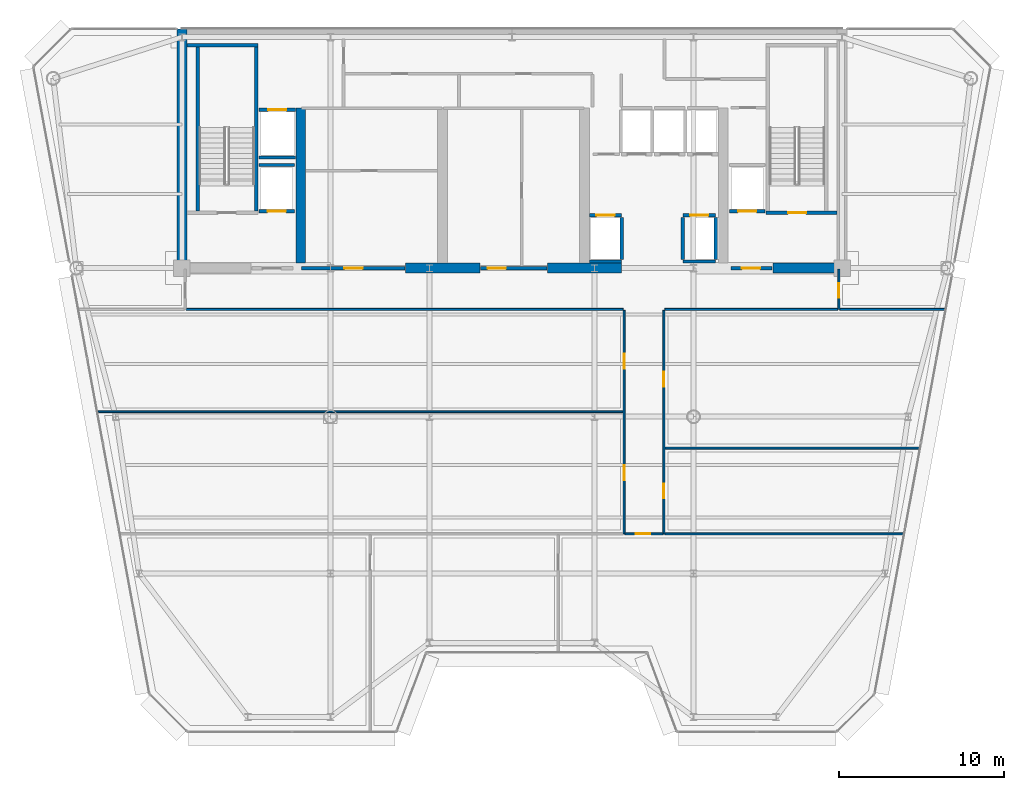
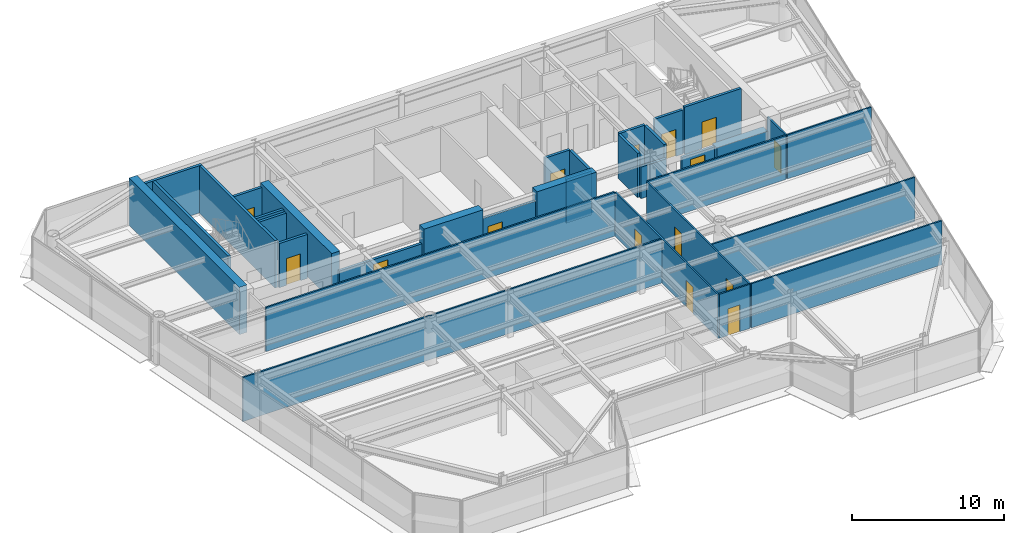
# One storey, part 11 of 17: 34 walls, 15 doors, 15 openings.
"""IFC4 building model written with IfcOpenShell, lengths in metres."""

from ifc_helpers import new_model, si_unit, direction, frame, frame_2d, origin, place, context, subcontext, project, spatial, rectangle, extrude, source, transform, mapped, material, layer, layer_set, type_object, element, fill, save


model = new_model("IFC4")

# Units and contexts
model_context = context("Model", 3, precision=1e-05, world=origin(), true_north=direction((0.0, 1.0)))
body_context = subcontext(model_context, "Body", "Model", "MODEL_VIEW")
ifc_project = project(units=[si_unit("LENGTHUNIT", "METRE"), si_unit("AREAUNIT", "SQUARE_METRE"), si_unit("VOLUMEUNIT", "CUBIC_METRE"), si_unit("PLANEANGLEUNIT", "RADIAN"), si_unit("MASSUNIT", "GRAM", prefix="KILO")], contexts=[model_context])

# Site, building, storey
site_placement = place(None, origin())
site = spatial("IfcSite", under=ifc_project, at=site_placement, CompositionType="ELEMENT")
building_placement = place(site_placement, origin())
building = spatial("IfcBuilding", under=site, at=building_placement, Name="Vaeldorn Concourse Tower", CompositionType="ELEMENT")
storey_placement = place(building_placement, frame((0.0, 0.0, 214.60009765625)))
storey = spatial("IfcBuildingStorey", under=building, at=storey_placement, Name="L55", CompositionType="ELEMENT", Elevation=214.60009765625)

# Walls
ifc_material_1 = material(Name="Concrete C50/60", Category="concrete")
ifc_layer_1 = layer(ifc_material_1, 0.60009765625)
ifc_layer_set_1 = layer_set([ifc_layer_1], Name="Concrete C50/60")
wall_type_1 = type_object("IfcWallType", Name="WL-CORE-600", PredefinedType="SHEAR", material=ifc_layer_set_1)
wall_1_placement = place(storey_placement, frame((14.0, 36.5, 0.0), z_axis=(0.0, 0.0, 1.0), x_axis=(0.0, 1.0, 0.0)))
element("IfcWall", 1, at=wall_1_placement, inside=storey, type_object=wall_type_1, Name="Rear Core Shear Wall L55 W1", PredefinedType="SHEAR", context=body_context, shape_type="SweptSolid", body=[
    extrude(rectangle(XDim=14.5, YDim=0.60009765625, at=frame_2d((7.25, 0.0))), origin(), (0.0, 0.0, 1.0), 3.7998046875),
])
for number, where, z_axis, x_axis, name in (
    (2, (27.550048828125, 36.5, 0.0), (0.0, 0.0, 1.0), (1.0, 0.0, 0.0), "Rear Core Shear Wall L55 S2"),
    (3, (36.14990234375, 36.5, 0.0), (0.0, 0.0, 1.0), (1.0, 0.0, 0.0), "Rear Core Shear Wall L55 S3"),
):
    element("IfcWall", number, at=place(storey_placement, frame(where, z_axis=z_axis, x_axis=x_axis)), inside=storey, type_object=wall_type_1, Name=name, PredefinedType="SHEAR", context=body_context, shape_type="SweptSolid", body=[
        extrude(rectangle(XDim=4.5, YDim=0.60009765625, at=frame_2d((2.25, 0.0))), origin(), (0.0, 0.0, 1.0), 3.7998046875),
    ])
wall_2_placement = place(storey_placement, frame((49.800048828125, 36.5, 0.0), z_axis=(0.0, 0.0, 1.0), x_axis=(1.0, 0.0, 0.0)))
element("IfcWall", 4, at=wall_2_placement, inside=storey, type_object=wall_type_1, Name="Rear Core Shear Wall L55 S4", PredefinedType="SHEAR", context=body_context, shape_type="SweptSolid", body=[
    extrude(rectangle(XDim=3.8798828125, YDim=0.60009765625, at=frame_2d((1.93994140625, 0.0))), origin(), (0.0, 0.0, 1.0), 2.539794921875),
])
wall_3_placement = place(storey_placement, frame((21.199951171875, 36.820068359375, 0.0), z_axis=(0.0, 0.0, 1.0), x_axis=(0.0, 1.0, 0.0)))
element("IfcWall", 5, at=wall_3_placement, inside=storey, type_object=wall_type_1, Name="Rear Core Shear Wall L55 M1", PredefinedType="SHEAR", context=body_context, shape_type="SweptSolid", body=[
    extrude(rectangle(XDim=9.3798828125, YDim=0.60009765625, at=frame_2d((4.68994140625, 0.0))), origin(), (0.0, 0.0, 1.0), 3.7998046875),
])
ifc_material_2 = material(Name="Gypsum Board Partition", Category="gypsum")
ifc_layer_2 = layer(ifc_material_2, 0.1201171875)
ifc_layer_set_2 = layer_set([ifc_layer_2], Name="Gypsum Board Partition")
wall_type_2 = type_object("IfcWallType", Name="WL-PART-120", PredefinedType="PARTITIONING", material=ifc_layer_set_2)
wall_4_placement = place(storey_placement, frame((14.260009765625, 34.0, 0.0), z_axis=(0.0, 0.0, 1.0), x_axis=(1.0, 0.0, 0.0)))
element("IfcWall", 6, at=wall_4_placement, inside=storey, type_object=wall_type_2, Name="Interior Wall PW-L55-C3SW", PredefinedType="PARTITIONING", context=body_context, shape_type="SweptSolid", body=[
    extrude(rectangle(XDim=26.47998046875, YDim=0.1201171875, at=frame_2d((13.239990234375, 0.0))), origin(), (0.0, 0.0, 1.0), 3.539794921875),
])
wall_5_placement = place(storey_placement, frame((43.260009765625, 34.0, 0.0), z_axis=(0.0, 0.0, 1.0), x_axis=(1.0, 0.0, 0.0)))
element("IfcWall", 7, at=wall_5_placement, inside=storey, type_object=wall_type_2, Name="Interior Wall PW-L55-C3SE", PredefinedType="PARTITIONING", context=body_context, shape_type="SweptSolid", body=[
    extrude(rectangle(XDim=10.47998046875, YDim=0.1201171875, at=frame_2d((5.239990234375, 0.0))), origin(), (0.0, 0.0, 1.0), 3.539794921875),
])

# Wall, opening, door
wall_6_placement = place(storey_placement, frame((53.800048828125, 34.0, 0.0), z_axis=(0.0, 0.0, 1.0), x_axis=(0.0, 1.0, 0.0)))
wall_6 = element("IfcWall", 8, at=wall_6_placement, inside=storey, type_object=wall_type_2, Name="Interior Wall PW-L55-C3E", PredefinedType="PARTITIONING", context=body_context, shape_type="SweptSolid", body=[
    extrude(rectangle(XDim=2.43994140625, YDim=0.1201171875, at=frame_2d((1.219970703125, 0.0))), origin(), (0.0, 0.0, 1.0), 3.539794921875),
])
opening_1_placement = place(wall_6_placement, frame((0.699951171875, 0.0, 0.0)))
opening_1 = element("IfcOpeningElement", 9, at=opening_1_placement, cuts=wall_6, Name="Opening D-03", PredefinedType="OPENING", context=body_context, shape_type="SweptSolid", body=[
    extrude(rectangle(XDim=0.89990234375, YDim=2.14990234375, at=frame_2d((0.449951171875, 1.074951171875))), frame((0.0, 0.070068359375, 0.0), z_axis=(0.0, -1.0, 0.0), x_axis=(1.0, 0.0, 0.0)), (0.0, 0.0, 1.0), 0.14013671875),
])
ifc_material_3 = material(Name="Acoustic Bronze-Framed Glass Door", Category="glass")
door_type_1 = type_object("IfcDoorType", Name="DR-INT-900", OperationType="NOTDEFINED", PredefinedType="DOOR", material=ifc_material_3)
shared_shape_1 = source(origin(), body_context, "Body", "SweptSolid", [
    extrude(rectangle(XDim=0.89990234375, YDim=2.14990234375, at=frame_2d((0.449951171875, 1.074951171875))), frame((0.0, 0.02490234375, 0.0), z_axis=(0.0, -1.0, 0.0), x_axis=(1.0, 0.0, 0.0)), (0.0, 0.0, 1.0), 0.050048828125),
])
door_1_placement = place(opening_1_placement, origin())
door_1 = element("IfcDoor", 10, at=door_1_placement, inside=storey, type_object=door_type_1, Name="Interior Door DR-L55-Z3NE", OperationType="SINGLE_SWING_RIGHT", OverallHeight=2.14990234375, OverallWidth=0.89990234375, PredefinedType="DOOR", context=body_context, shape_type="MappedRepresentation", body=[
    mapped(shared_shape_1, transform((0.0, 0.0, 0.0), scale=1.0)),
])
fill(opening_1, door_1)

# Wall, openings, doors
wall_7_placement = place(storey_placement, frame((40.800048828125, 20.39990234375, 0.0), z_axis=(0.0, 0.0, 1.0), x_axis=(0.0, 1.0, 0.0)))
wall_7 = element("IfcWall", 11, at=wall_7_placement, inside=storey, type_object=wall_type_2, Name="Interior Wall PW-L55-CSPW", PredefinedType="PARTITIONING", context=body_context, shape_type="SweptSolid", body=[
    extrude(rectangle(XDim=13.5400390625, YDim=0.1201171875, at=frame_2d((6.77001953125, 0.0))), origin(), (0.0, 0.0, 1.0), 3.539794921875),
])
opening_2_placement = place(wall_7_placement, frame((3.25, 0.0, 0.0)))
opening_2 = element("IfcOpeningElement", 12, at=opening_2_placement, cuts=wall_7, Name="Opening D-03", PredefinedType="OPENING", context=body_context, shape_type="SweptSolid", body=[
    extrude(rectangle(XDim=0.89990234375, YDim=2.14990234375, at=frame_2d((0.449951171875, 1.074951171875))), frame((0.0, 0.070068359375, 0.0), z_axis=(0.0, -1.0, 0.0), x_axis=(1.0, 0.0, 0.0)), (0.0, 0.0, 1.0), 0.14013671875),
])
opening_3_placement = place(wall_7_placement, frame((10.02001953125, 0.0, 0.0)))
opening_3 = element("IfcOpeningElement", 13, at=opening_3_placement, cuts=wall_7, Name="Opening D-03", PredefinedType="OPENING", context=body_context, shape_type="SweptSolid", body=[
    extrude(rectangle(XDim=0.89990234375, YDim=2.14990234375, at=frame_2d((0.449951171875, 1.074951171875))), frame((0.0, 0.070068359375, 0.0), z_axis=(0.0, -1.0, 0.0), x_axis=(1.0, 0.0, 0.0)), (0.0, 0.0, 1.0), 0.14013671875),
])
door_2_placement = place(opening_2_placement, origin())
door_2 = element("IfcDoor", 14, at=door_2_placement, inside=storey, type_object=door_type_1, Name="Interior Door DR-L55-Z3W1", OperationType="SINGLE_SWING_LEFT", OverallHeight=2.14990234375, OverallWidth=0.89990234375, PredefinedType="DOOR", context=body_context, shape_type="MappedRepresentation", body=[
    mapped(shared_shape_1, transform((0.0, 0.0, 0.0), scale=1.0)),
])
fill(opening_2, door_2)
door_3_placement = place(opening_3_placement, origin())
door_3 = element("IfcDoor", 15, at=door_3_placement, inside=storey, type_object=door_type_1, Name="Interior Door DR-L55-Z3W2", OperationType="SINGLE_SWING_RIGHT", OverallHeight=2.14990234375, OverallWidth=0.89990234375, PredefinedType="DOOR", context=body_context, shape_type="MappedRepresentation", body=[
    mapped(shared_shape_1, transform((0.0, 0.0, 0.0), scale=1.0)),
])
fill(opening_3, door_3)

wall_8_placement = place(storey_placement, frame((43.199951171875, 20.39990234375, 0.0), z_axis=(0.0, 0.0, 1.0), x_axis=(0.0, 1.0, 0.0)))
wall_8 = element("IfcWall", 16, at=wall_8_placement, inside=storey, type_object=wall_type_2, Name="Interior Wall PW-L55-CSPE", PredefinedType="PARTITIONING", context=body_context, shape_type="SweptSolid", body=[
    extrude(rectangle(XDim=13.5400390625, YDim=0.1201171875, at=frame_2d((6.77001953125, 0.0))), origin(), (0.0, 0.0, 1.0), 3.539794921875),
])
opening_4_placement = place(wall_8_placement, frame((2.14990234375, 0.0, 0.0)))
opening_4 = element("IfcOpeningElement", 17, at=opening_4_placement, cuts=wall_8, Name="Opening D-03", PredefinedType="OPENING", context=body_context, shape_type="SweptSolid", body=[
    extrude(rectangle(XDim=0.89990234375, YDim=2.14990234375, at=frame_2d((0.449951171875, 1.074951171875))), frame((0.0, 0.070068359375, 0.0), z_axis=(0.0, -1.0, 0.0), x_axis=(1.0, 0.0, 0.0)), (0.0, 0.0, 1.0), 0.14013671875),
])
opening_5_placement = place(wall_8_placement, frame((8.919921875, 0.0, 0.0)))
opening_5 = element("IfcOpeningElement", 18, at=opening_5_placement, cuts=wall_8, Name="Opening D-03", PredefinedType="OPENING", context=body_context, shape_type="SweptSolid", body=[
    extrude(rectangle(XDim=0.89990234375, YDim=2.14990234375, at=frame_2d((0.449951171875, 1.074951171875))), frame((0.0, 0.070068359375, 0.0), z_axis=(0.0, -1.0, 0.0), x_axis=(1.0, 0.0, 0.0)), (0.0, 0.0, 1.0), 0.14013671875),
])
door_4_placement = place(opening_4_placement, origin())
door_4 = element("IfcDoor", 19, at=door_4_placement, inside=storey, type_object=door_type_1, Name="Interior Door DR-L55-Z3E1", OperationType="SINGLE_SWING_RIGHT", OverallHeight=2.14990234375, OverallWidth=0.89990234375, PredefinedType="DOOR", context=body_context, shape_type="MappedRepresentation", body=[
    mapped(shared_shape_1, transform((0.0, 0.0, 0.0), scale=1.0)),
])
fill(opening_4, door_4)
door_5_placement = place(opening_5_placement, origin())
door_5 = element("IfcDoor", 20, at=door_5_placement, inside=storey, type_object=door_type_1, Name="Interior Door DR-L55-Z3E2", OperationType="SINGLE_SWING_LEFT", OverallHeight=2.14990234375, OverallWidth=0.89990234375, PredefinedType="DOOR", context=body_context, shape_type="MappedRepresentation", body=[
    mapped(shared_shape_1, transform((0.0, 0.0, 0.0), scale=1.0)),
])
fill(opening_5, door_5)

# Wall, opening, door
wall_9_placement = place(storey_placement, frame((40.840087890625, 20.39990234375, 0.0), z_axis=(0.0, 0.0, 1.0), x_axis=(1.0, 0.0, 0.0)))
wall_9 = element("IfcWall", 21, at=wall_9_placement, inside=storey, type_object=wall_type_2, Name="Interior Wall PW-L55-CSPS", PredefinedType="PARTITIONING", context=body_context, shape_type="SweptSolid", body=[
    extrude(rectangle(XDim=2.31982421875, YDim=0.1201171875, at=frame_2d((1.159912109375, 0.0))), origin(), (0.0, 0.0, 1.0), 3.539794921875),
])
opening_6_placement = place(wall_9_placement, frame((0.64990234375, 0.0, 0.0)))
opening_6 = element("IfcOpeningElement", 22, at=opening_6_placement, cuts=wall_9, Name="Opening D-03", PredefinedType="OPENING", context=body_context, shape_type="SweptSolid", body=[
    extrude(rectangle(XDim=0.89990234375, YDim=2.14990234375, at=frame_2d((0.449951171875, 1.074951171875))), frame((0.0, 0.070068359375, 0.0), z_axis=(0.0, -1.0, 0.0), x_axis=(1.0, 0.0, 0.0)), (0.0, 0.0, 1.0), 0.14013671875),
])
door_6_placement = place(opening_6_placement, origin())
door_6 = element("IfcDoor", 23, at=door_6_placement, inside=storey, type_object=door_type_1, Name="Interior Door DR-L55-Z3SM", OperationType="SINGLE_SWING_LEFT", OverallHeight=2.14990234375, OverallWidth=0.89990234375, PredefinedType="DOOR", context=body_context, shape_type="MappedRepresentation", body=[
    mapped(shared_shape_1, transform((0.0, 0.0, 0.0), scale=1.0)),
])
fill(opening_6, door_6)

# Walls
wall_10_placement = place(storey_placement, frame((53.860107421875, 34.0, 0.0), z_axis=(0.0, 0.0, 1.0), x_axis=(1.0, 0.0, 0.0)))
element("IfcWall", 24, at=wall_10_placement, inside=storey, type_object=wall_type_2, Name="Interior Wall PW-L55-Z3NEB", PredefinedType="PARTITIONING", context=body_context, shape_type="SweptSolid", body=[
    extrude(rectangle(XDim=6.380859375, YDim=0.1201171875, at=frame_2d((3.1904296875, 0.0))), origin(), (0.0, 0.0, 1.0), 3.539794921875),
])
wall_11_placement = place(storey_placement, frame((8.906005859375, 27.800048828125, 0.0), z_axis=(0.0, 0.0, 1.0), x_axis=(1.0, 0.0, 0.0)))
element("IfcWall", 25, at=wall_11_placement, inside=storey, type_object=wall_type_2, Name="Interior Wall PW-L55-Z3WY1", PredefinedType="PARTITIONING", context=body_context, shape_type="SweptSolid", body=[
    extrude(rectangle(XDim=31.833984375, YDim=0.1201171875, at=frame_2d((15.9169921875, 0.0))), origin(), (0.0, 0.0, 1.0), 3.539794921875),
])
wall_12_placement = place(storey_placement, frame((43.260009765625, 25.60009765625, 0.0), z_axis=(0.0, 0.0, 1.0), x_axis=(1.0, 0.0, 0.0)))
element("IfcWall", 26, at=wall_12_placement, inside=storey, type_object=wall_type_2, Name="Interior Wall PW-L55-Z3EY1", PredefinedType="PARTITIONING", context=body_context, shape_type="SweptSolid", body=[
    extrude(rectangle(XDim=15.427001953125, YDim=0.1201171875, at=frame_2d((7.71337890625, 0.0))), origin(), (0.0, 0.0, 1.0), 3.539794921875),
])
wall_13_placement = place(storey_placement, frame((43.260009765625, 20.39990234375, 0.0), z_axis=(0.0, 0.0, 1.0), x_axis=(1.0, 0.0, 0.0)))
element("IfcWall", 27, at=wall_13_placement, inside=storey, type_object=wall_type_2, Name="Interior Wall PW-L55-Z3SEL", PredefinedType="PARTITIONING", context=body_context, shape_type="SweptSolid", body=[
    extrude(rectangle(XDim=14.465087890625, YDim=0.1201171875, at=frame_2d((7.232421875, 0.0))), origin(), (0.0, 0.0, 1.0), 3.539794921875),
])
ifc_layer_3 = layer(ifc_material_1, 0.199951171875)
ifc_layer_set_3 = layer_set([ifc_layer_3], Name="Concrete C50/60")
wall_type_3 = type_object("IfcWallType", Name="WL-SHAFT-200", PredefinedType="SOLIDWALL", material=ifc_layer_set_3)
wall_14_placement = place(storey_placement, frame((14.300048828125, 50.0, 0.0), z_axis=(0.0, 0.0, 1.0), x_axis=(1.0, 0.0, 0.0)))
element("IfcWall", 28, at=wall_14_placement, inside=storey, type_object=wall_type_3, Name="Stair Shaft Wall CW-L55-ST-1-N", PredefinedType="SOLIDWALL", context=body_context, shape_type="SweptSolid", body=[
    extrude(rectangle(XDim=4.300048828125, YDim=0.199951171875, at=frame_2d((2.14990234375, 0.0))), origin(), (0.0, 0.0, 1.0), 3.7998046875),
])
for number, where, z_axis, x_axis, name in (
    (29, (14.949951171875, 39.9599609375, 0.0), (0.0, 0.0, 1.0), (0.0, 1.0, 0.0), "Stair Shaft Wall CW-L55-ST-1-W"),
    (30, (18.5, 39.9599609375, 0.0), (0.0, 0.0, 1.0), (0.0, 1.0, 0.0), "Stair Shaft Wall CW-L55-ST-1-E"),
):
    element("IfcWall", number, at=place(storey_placement, frame(where, z_axis=z_axis, x_axis=x_axis)), inside=storey, type_object=wall_type_3, Name=name, PredefinedType="SOLIDWALL", context=body_context, shape_type="SweptSolid", body=[
        extrude(rectangle(XDim=9.929931640625, YDim=0.199951171875, at=frame_2d((4.96484375, 0.0))), origin(), (0.0, 0.0, 1.0), 3.7998046875),
    ])

# Wall, opening, door
wall_15_placement = place(storey_placement, frame((49.39990234375, 39.85009765625, 0.0), z_axis=(0.0, 0.0, 1.0), x_axis=(1.0, 0.0, 0.0)))
wall_15 = element("IfcWall", 31, at=wall_15_placement, inside=storey, type_object=wall_type_3, Name="Stair Shaft Wall CW-L55-ST-2-S", PredefinedType="SOLIDWALL", context=body_context, shape_type="SweptSolid", body=[
    extrude(rectangle(XDim=4.300048828125, YDim=0.199951171875, at=frame_2d((2.14990234375, 0.0))), origin(), (0.0, 0.0, 1.0), 3.7998046875),
])
opening_7_placement = place(wall_15_placement, frame((1.324951171875, 0.0, 0.0)))
opening_7 = element("IfcOpeningElement", 32, at=opening_7_placement, cuts=wall_15, Name="Opening D-01", PredefinedType="OPENING", context=body_context, shape_type="SweptSolid", body=[
    extrude(rectangle(XDim=1.10009765625, YDim=2.14990234375, at=frame_2d((0.550048828125, 1.074951171875))), frame((0.0, 0.10986328125, 0.0), z_axis=(0.0, -1.0, 0.0), x_axis=(1.0, 0.0, 0.0)), (0.0, 0.0, 1.0), 0.219970703125),
])
ifc_material_4 = material(Name="Fire-Rated Timber and Steel Leaf", Category="steel")
door_type_2 = type_object("IfcDoorType", Name="DR-FD60-1100", OperationType="NOTDEFINED", PredefinedType="DOOR", material=ifc_material_4)
shared_shape_2 = source(origin(), body_context, "Body", "SweptSolid", [
    extrude(rectangle(XDim=1.10009765625, YDim=2.14990234375, at=frame_2d((0.550048828125, 1.074951171875))), frame((0.0, 0.02490234375, 0.0), z_axis=(0.0, -1.0, 0.0), x_axis=(1.0, 0.0, 0.0)), (0.0, 0.0, 1.0), 0.050048828125),
])
door_7_placement = place(opening_7_placement, origin())
door_7 = element("IfcDoor", 33, at=door_7_placement, inside=storey, type_object=door_type_2, Name="Interior Door DR-L55-ST-2", OperationType="SINGLE_SWING_RIGHT", OverallHeight=2.14990234375, OverallWidth=1.10009765625, PredefinedType="DOOR", context=body_context, shape_type="MappedRepresentation", body=[
    mapped(shared_shape_2, transform((0.0, 0.0, 0.0), scale=1.0)),
])
fill(opening_7, door_7)

wall_16_placement = place(storey_placement, frame((47.280029296875, 36.5, 0.0), z_axis=(0.0, 0.0, 1.0), x_axis=(1.0, 0.0, 0.0)))
wall_16 = element("IfcWall", 34, at=wall_16_placement, inside=storey, type_object=wall_type_3, Name="Interior Wall CW-L55-FF2S", PredefinedType="SOLIDWALL", context=body_context, shape_type="SweptSolid", body=[
    extrude(rectangle(XDim=2.469970703125, YDim=0.199951171875, at=frame_2d((1.23486328125, 0.0))), origin(), (0.0, 0.0, 1.0), 2.52978515625),
])
opening_8_placement = place(wall_16_placement, frame((0.64990234375, 0.0, 0.0)))
opening_8 = element("IfcOpeningElement", 35, at=opening_8_placement, cuts=wall_16, Name="Opening D-01", PredefinedType="OPENING", context=body_context, shape_type="SweptSolid", body=[
    extrude(rectangle(XDim=1.10009765625, YDim=2.14990234375, at=frame_2d((0.550048828125, 1.074951171875))), frame((0.0, 0.10986328125, 0.0), z_axis=(0.0, -1.0, 0.0), x_axis=(1.0, 0.0, 0.0)), (0.0, 0.0, 1.0), 0.219970703125),
])
door_8_placement = place(opening_8_placement, origin())
door_8 = element("IfcDoor", 36, at=door_8_placement, inside=storey, type_object=door_type_2, Name="Interior Door DR-L55-FF2W", OperationType="SINGLE_SWING_LEFT", OverallHeight=2.14990234375, OverallWidth=1.10009765625, PredefinedType="DOOR", context=body_context, shape_type="MappedRepresentation", body=[
    mapped(shared_shape_2, transform((0.0, 0.0, 0.0), scale=1.0)),
])
fill(opening_8, door_8)

wall_17_placement = place(storey_placement, frame((38.7099609375, 39.699951171875, 0.0), z_axis=(0.0, 0.0, 1.0), x_axis=(1.0, 0.0, 0.0)))
wall_17 = element("IfcWall", 37, at=wall_17_placement, inside=storey, type_object=wall_type_3, Name="Interior Wall CW-L55-LF-LF-13", PredefinedType="SOLIDWALL", context=body_context, shape_type="SweptSolid", body=[
    extrude(rectangle(XDim=1.919921875, YDim=0.199951171875, at=frame_2d((0.9599609375, 0.0))), origin(), (0.0, 0.0, 1.0), 3.539794921875),
])
opening_9_placement = place(wall_17_placement, frame((0.409912109375, 0.0, 0.0)))
opening_9 = element("IfcOpeningElement", 38, at=opening_9_placement, cuts=wall_17, Name="Opening LD-1", PredefinedType="OPENING", context=body_context, shape_type="SweptSolid", body=[
    extrude(rectangle(XDim=1.10009765625, YDim=2.14990234375, at=frame_2d((0.550048828125, 1.074951171875))), frame((0.0, 0.10986328125, 0.0), z_axis=(0.0, -1.0, 0.0), x_axis=(1.0, 0.0, 0.0)), (0.0, 0.0, 1.0), 0.219970703125),
])
ifc_material_5 = material(Name="Anodised Bronze Aluminium", Category="aluminium")
door_type_3 = type_object("IfcDoorType", Name="DR-LIFT-SLIDE-1100", OperationType="DOUBLE_DOOR_SLIDING", PredefinedType="DOOR", material=ifc_material_5)
door_9_placement = place(opening_9_placement, origin())
door_9 = element("IfcDoor", 39, at=door_9_placement, inside=storey, type_object=door_type_3, Name="Lift Landing Door LD-L55-LF-13", OperationType="DOUBLE_DOOR_SLIDING", OverallHeight=2.14990234375, OverallWidth=1.10009765625, PredefinedType="DOOR", context=body_context, shape_type="MappedRepresentation", body=[
    mapped(shared_shape_2, transform((0.0, 0.0, 0.0), scale=1.0)),
])
fill(opening_9, door_9)

# Walls
wall_18_placement = place(storey_placement, frame((38.7099609375, 36.89990234375, 0.0), z_axis=(0.0, 0.0, 1.0), x_axis=(1.0, 0.0, 0.0)))
element("IfcWall", 40, at=wall_18_placement, inside=storey, type_object=wall_type_3, Name="Interior Wall CW-L55-LFB-LF-13", PredefinedType="SOLIDWALL", context=body_context, shape_type="SweptSolid", body=[
    extrude(rectangle(XDim=1.919921875, YDim=0.199951171875, at=frame_2d((0.9599609375, 0.0))), origin(), (0.0, 0.0, 1.0), 3.539794921875),
])
wall_19_placement = place(storey_placement, frame((40.64990234375, 37.02001953125, 0.0), z_axis=(0.0, 0.0, 1.0), x_axis=(0.0, 1.0, 0.0)))
element("IfcWall", 41, at=wall_19_placement, inside=storey, type_object=wall_type_3, Name="Interior Wall CW-L55-LFE-LF-13", PredefinedType="SOLIDWALL", context=body_context, shape_type="SweptSolid", body=[
    extrude(rectangle(XDim=2.56005859375, YDim=0.199951171875, at=frame_2d((1.280029296875, 0.0))), origin(), (0.0, 0.0, 1.0), 3.539794921875),
])

# Wall, opening, door
wall_20_placement = place(storey_placement, frame((44.3701171875, 39.699951171875, 0.0), z_axis=(0.0, 0.0, 1.0), x_axis=(1.0, 0.0, 0.0)))
wall_20 = element("IfcWall", 42, at=wall_20_placement, inside=storey, type_object=wall_type_3, Name="Interior Wall CW-L55-LF-LF-14", PredefinedType="SOLIDWALL", context=body_context, shape_type="SweptSolid", body=[
    extrude(rectangle(XDim=1.9599609375, YDim=0.199951171875, at=frame_2d((0.97998046875, 0.0))), origin(), (0.0, 0.0, 1.0), 3.539794921875),
])
opening_10_placement = place(wall_20_placement, frame((0.429931640625, 0.0, 0.0)))
opening_10 = element("IfcOpeningElement", 43, at=opening_10_placement, cuts=wall_20, Name="Opening LD-1", PredefinedType="OPENING", context=body_context, shape_type="SweptSolid", body=[
    extrude(rectangle(XDim=1.10009765625, YDim=2.14990234375, at=frame_2d((0.550048828125, 1.074951171875))), frame((0.0, 0.10986328125, 0.0), z_axis=(0.0, -1.0, 0.0), x_axis=(1.0, 0.0, 0.0)), (0.0, 0.0, 1.0), 0.219970703125),
])
door_10_placement = place(opening_10_placement, origin())
door_10 = element("IfcDoor", 44, at=door_10_placement, inside=storey, type_object=door_type_3, Name="Lift Landing Door LD-L55-LF-14", OperationType="DOUBLE_DOOR_SLIDING", OverallHeight=2.14990234375, OverallWidth=1.10009765625, PredefinedType="DOOR", context=body_context, shape_type="MappedRepresentation", body=[
    mapped(shared_shape_2, transform((0.0, 0.0, 0.0), scale=1.0)),
])
fill(opening_10, door_10)

# Walls
wall_21_placement = place(storey_placement, frame((44.3701171875, 36.89990234375, 0.0), z_axis=(0.0, 0.0, 1.0), x_axis=(1.0, 0.0, 0.0)))
element("IfcWall", 45, at=wall_21_placement, inside=storey, type_object=wall_type_3, Name="Interior Wall CW-L55-LFB-LF-14", PredefinedType="SOLIDWALL", context=body_context, shape_type="SweptSolid", body=[
    extrude(rectangle(XDim=1.9599609375, YDim=0.199951171875, at=frame_2d((0.97998046875, 0.0))), origin(), (0.0, 0.0, 1.0), 2.52978515625),
])
for number, where, z_axis, x_axis, name in (
    (46, (44.35009765625, 37.02001953125, 0.0), (0.0, 0.0, 1.0), (0.0, 1.0, 0.0), "Interior Wall CW-L55-LFW-LF-14"),
    (47, (46.35009765625, 37.02001953125, 0.0), (0.0, 0.0, 1.0), (0.0, 1.0, 0.0), "Interior Wall CW-L55-LFE-LF-14"),
):
    element("IfcWall", number, at=place(storey_placement, frame(where, z_axis=z_axis, x_axis=x_axis)), inside=storey, type_object=wall_type_3, Name=name, PredefinedType="SOLIDWALL", context=body_context, shape_type="SweptSolid", body=[
        extrude(rectangle(XDim=2.56005859375, YDim=0.199951171875, at=frame_2d((1.280029296875, 0.0))), origin(), (0.0, 0.0, 1.0), 3.539794921875),
    ])

# Wall, opening, door
wall_22_placement = place(storey_placement, frame((18.669921875, 46.10009765625, 0.0), z_axis=(0.0, 0.0, 1.0), x_axis=(1.0, 0.0, 0.0)))
wall_22 = element("IfcWall", 48, at=wall_22_placement, inside=storey, type_object=wall_type_3, Name="Interior Wall CW-L55-LF-LF-SV1", PredefinedType="SOLIDWALL", context=body_context, shape_type="SweptSolid", body=[
    extrude(rectangle(XDim=2.219970703125, YDim=0.199951171875, at=frame_2d((1.10986328125, 0.0))), origin(), (0.0, 0.0, 1.0), 3.539794921875),
])
opening_11_placement = place(wall_22_placement, frame((0.56005859375, 0.0, 0.0)))
opening_11 = element("IfcOpeningElement", 49, at=opening_11_placement, cuts=wall_22, Name="Opening LD-1", PredefinedType="OPENING", context=body_context, shape_type="SweptSolid", body=[
    extrude(rectangle(XDim=1.10009765625, YDim=2.14990234375, at=frame_2d((0.550048828125, 1.074951171875))), frame((0.0, 0.10986328125, 0.0), z_axis=(0.0, -1.0, 0.0), x_axis=(1.0, 0.0, 0.0)), (0.0, 0.0, 1.0), 0.219970703125),
])
door_11_placement = place(opening_11_placement, origin())
door_11 = element("IfcDoor", 50, at=door_11_placement, inside=storey, type_object=door_type_3, Name="Lift Landing Door LD-L55-LF-SV1", OperationType="DOUBLE_DOOR_SLIDING", OverallHeight=2.14990234375, OverallWidth=1.10009765625, PredefinedType="DOOR", context=body_context, shape_type="MappedRepresentation", body=[
    mapped(shared_shape_2, transform((0.0, 0.0, 0.0), scale=1.0)),
])
fill(opening_11, door_11)

# Wall
wall_23_placement = place(storey_placement, frame((18.669921875, 43.199951171875, 0.0), z_axis=(0.0, 0.0, 1.0), x_axis=(1.0, 0.0, 0.0)))
element("IfcWall", 51, at=wall_23_placement, inside=storey, type_object=wall_type_3, Name="Interior Wall CW-L55-LFB-LF-SV1", PredefinedType="SOLIDWALL", context=body_context, shape_type="SweptSolid", body=[
    extrude(rectangle(XDim=2.219970703125, YDim=0.199951171875, at=frame_2d((1.10986328125, 0.0))), origin(), (0.0, 0.0, 1.0), 3.539794921875),
])

# Wall, opening, door
wall_24_placement = place(storey_placement, frame((18.669921875, 39.949951171875, 0.0), z_axis=(0.0, 0.0, 1.0), x_axis=(1.0, 0.0, 0.0)))
wall_24 = element("IfcWall", 52, at=wall_24_placement, inside=storey, type_object=wall_type_3, Name="Interior Wall CW-L55-LF-LF-FF1", PredefinedType="SOLIDWALL", context=body_context, shape_type="SweptSolid", body=[
    extrude(rectangle(XDim=2.16015625, YDim=0.199951171875, at=frame_2d((1.080078125, 0.0))), origin(), (0.0, 0.0, 1.0), 3.539794921875),
])
opening_12_placement = place(wall_24_placement, frame((0.530029296875, 0.0, 0.0)))
opening_12 = element("IfcOpeningElement", 53, at=opening_12_placement, cuts=wall_24, Name="Opening LD-1", PredefinedType="OPENING", context=body_context, shape_type="SweptSolid", body=[
    extrude(rectangle(XDim=1.10009765625, YDim=2.14990234375, at=frame_2d((0.550048828125, 1.074951171875))), frame((0.0, 0.10986328125, 0.0), z_axis=(0.0, -1.0, 0.0), x_axis=(1.0, 0.0, 0.0)), (0.0, 0.0, 1.0), 0.219970703125),
])
door_12_placement = place(opening_12_placement, origin())
door_12 = element("IfcDoor", 54, at=door_12_placement, inside=storey, type_object=door_type_3, Name="Lift Landing Door LD-L55-LF-FF1", OperationType="DOUBLE_DOOR_SLIDING", OverallHeight=2.14990234375, OverallWidth=1.10009765625, PredefinedType="DOOR", context=body_context, shape_type="MappedRepresentation", body=[
    mapped(shared_shape_2, transform((0.0, 0.0, 0.0), scale=1.0)),
])
fill(opening_12, door_12)

# Wall
wall_25_placement = place(storey_placement, frame((18.669921875, 42.75, 0.0), z_axis=(0.0, 0.0, 1.0), x_axis=(1.0, 0.0, 0.0)))
element("IfcWall", 55, at=wall_25_placement, inside=storey, type_object=wall_type_3, Name="Interior Wall CW-L55-LFB-LF-FF1", PredefinedType="SOLIDWALL", context=body_context, shape_type="SweptSolid", body=[
    extrude(rectangle(XDim=2.16015625, YDim=0.199951171875, at=frame_2d((1.080078125, 0.0))), origin(), (0.0, 0.0, 1.0), 3.539794921875),
])

# Wall, opening, door
wall_26_placement = place(storey_placement, frame((47.169921875, 39.949951171875, 0.0), z_axis=(0.0, 0.0, 1.0), x_axis=(1.0, 0.0, 0.0)))
wall_26 = element("IfcWall", 56, at=wall_26_placement, inside=storey, type_object=wall_type_3, Name="Interior Wall CW-L55-LF-LF-FF2", PredefinedType="SOLIDWALL", context=body_context, shape_type="SweptSolid", body=[
    extrude(rectangle(XDim=2.16015625, YDim=0.199951171875, at=frame_2d((1.080078125, 0.0))), origin(), (0.0, 0.0, 1.0), 3.539794921875),
])
opening_13_placement = place(wall_26_placement, frame((0.530029296875, 0.0, 0.0)))
opening_13 = element("IfcOpeningElement", 57, at=opening_13_placement, cuts=wall_26, Name="Opening LD-1", PredefinedType="OPENING", context=body_context, shape_type="SweptSolid", body=[
    extrude(rectangle(XDim=1.10009765625, YDim=2.14990234375, at=frame_2d((0.550048828125, 1.074951171875))), frame((0.0, 0.10986328125, 0.0), z_axis=(0.0, -1.0, 0.0), x_axis=(1.0, 0.0, 0.0)), (0.0, 0.0, 1.0), 0.219970703125),
])
door_13_placement = place(opening_13_placement, origin())
door_13 = element("IfcDoor", 58, at=door_13_placement, inside=storey, type_object=door_type_3, Name="Lift Landing Door LD-L55-LF-FF2", OperationType="DOUBLE_DOOR_SLIDING", OverallHeight=2.14990234375, OverallWidth=1.10009765625, PredefinedType="DOOR", context=body_context, shape_type="MappedRepresentation", body=[
    mapped(shared_shape_2, transform((0.0, 0.0, 0.0), scale=1.0)),
])
fill(opening_13, door_13)

wall_27_placement = place(storey_placement, frame((21.25, 36.5, 0.0), z_axis=(0.0, 0.0, 1.0), x_axis=(1.0, 0.0, 0.0)))
wall_27 = element("IfcWall", 59, at=wall_27_placement, inside=storey, type_object=wall_type_3, Name="Interior Wall CW-L55-R1S", PredefinedType="SOLIDWALL", context=body_context, shape_type="SweptSolid", body=[
    extrude(rectangle(XDim=6.27001953125, YDim=0.199951171875, at=frame_2d((3.135009765625, 0.0))), origin(), (0.0, 0.0, 1.0), 2.52978515625),
])
opening_14_placement = place(wall_27_placement, frame((2.60009765625, 0.0, 0.0)))
opening_14 = element("IfcOpeningElement", 60, at=opening_14_placement, cuts=wall_27, Name="Opening D-01", PredefinedType="OPENING", context=body_context, shape_type="SweptSolid", body=[
    extrude(rectangle(XDim=1.10009765625, YDim=2.14990234375, at=frame_2d((0.550048828125, 1.074951171875))), frame((0.0, 0.10986328125, 0.0), z_axis=(0.0, -1.0, 0.0), x_axis=(1.0, 0.0, 0.0)), (0.0, 0.0, 1.0), 0.219970703125),
])
door_14_placement = place(opening_14_placement, origin())
door_14 = element("IfcDoor", 61, at=door_14_placement, inside=storey, type_object=door_type_2, Name="Interior Door DR-L55-R1S", OperationType="SINGLE_SWING_LEFT", OverallHeight=2.14990234375, OverallWidth=1.10009765625, PredefinedType="DOOR", context=body_context, shape_type="MappedRepresentation", body=[
    mapped(shared_shape_2, transform((0.0, 0.0, 0.0), scale=1.0)),
])
fill(opening_14, door_14)

wall_28_placement = place(storey_placement, frame((32.080078125, 36.5, 0.0), z_axis=(0.0, 0.0, 1.0), x_axis=(1.0, 0.0, 0.0)))
wall_28 = element("IfcWall", 62, at=wall_28_placement, inside=storey, type_object=wall_type_3, Name="Interior Wall CW-L55-R2S", PredefinedType="SOLIDWALL", context=body_context, shape_type="SweptSolid", body=[
    extrude(rectangle(XDim=4.0400390625, YDim=0.199951171875, at=frame_2d((2.02001953125, 0.0))), origin(), (0.0, 0.0, 1.0), 2.929931640625),
])
opening_15_placement = place(wall_28_placement, frame((0.449951171875, 0.0, 0.0)))
opening_15 = element("IfcOpeningElement", 63, at=opening_15_placement, cuts=wall_28, Name="Opening D-01", PredefinedType="OPENING", context=body_context, shape_type="SweptSolid", body=[
    extrude(rectangle(XDim=1.10009765625, YDim=2.14990234375, at=frame_2d((0.550048828125, 1.074951171875))), frame((0.0, 0.10986328125, 0.0), z_axis=(0.0, -1.0, 0.0), x_axis=(1.0, 0.0, 0.0)), (0.0, 0.0, 1.0), 0.219970703125),
])
door_15_placement = place(opening_15_placement, origin())
door_15 = element("IfcDoor", 64, at=door_15_placement, inside=storey, type_object=door_type_2, Name="Interior Door DR-L55-R2W", OperationType="SINGLE_SWING_LEFT", OverallHeight=2.14990234375, OverallWidth=1.10009765625, PredefinedType="DOOR", context=body_context, shape_type="MappedRepresentation", body=[
    mapped(shared_shape_2, transform((0.0, 0.0, 0.0), scale=1.0)),
])
fill(opening_15, door_15)

save(model, "model.ifc")
